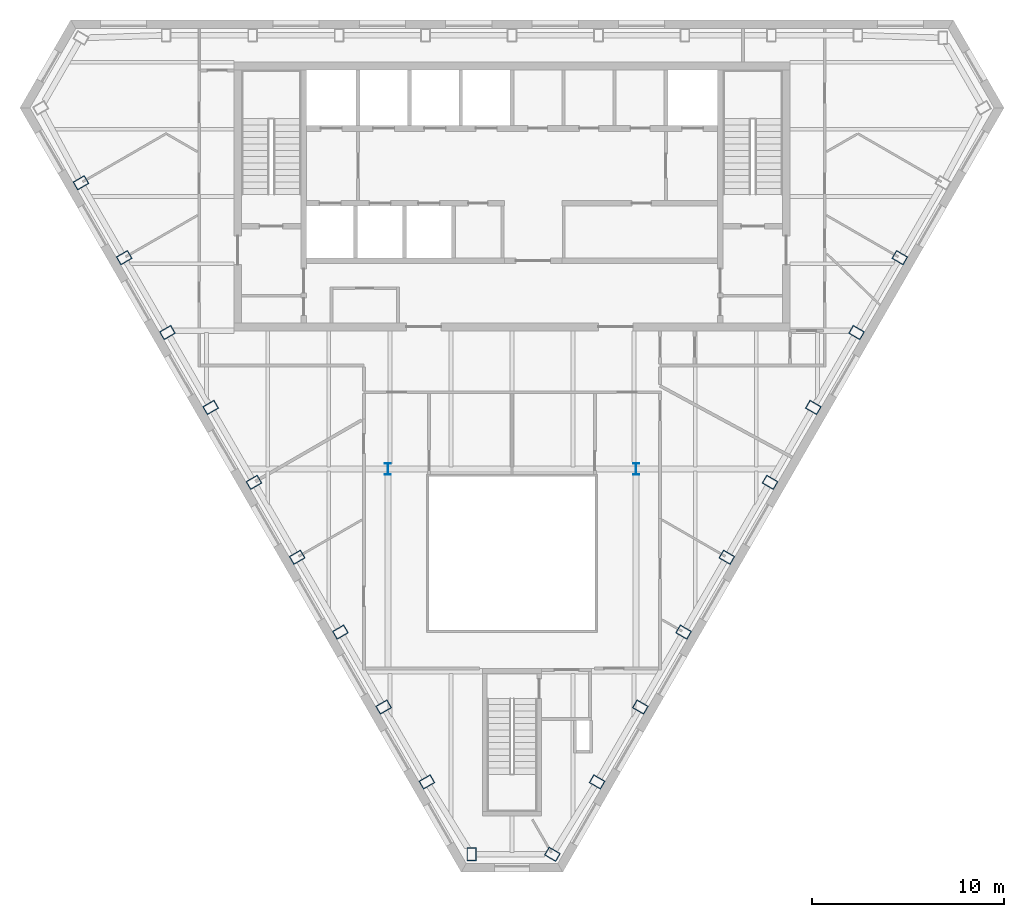
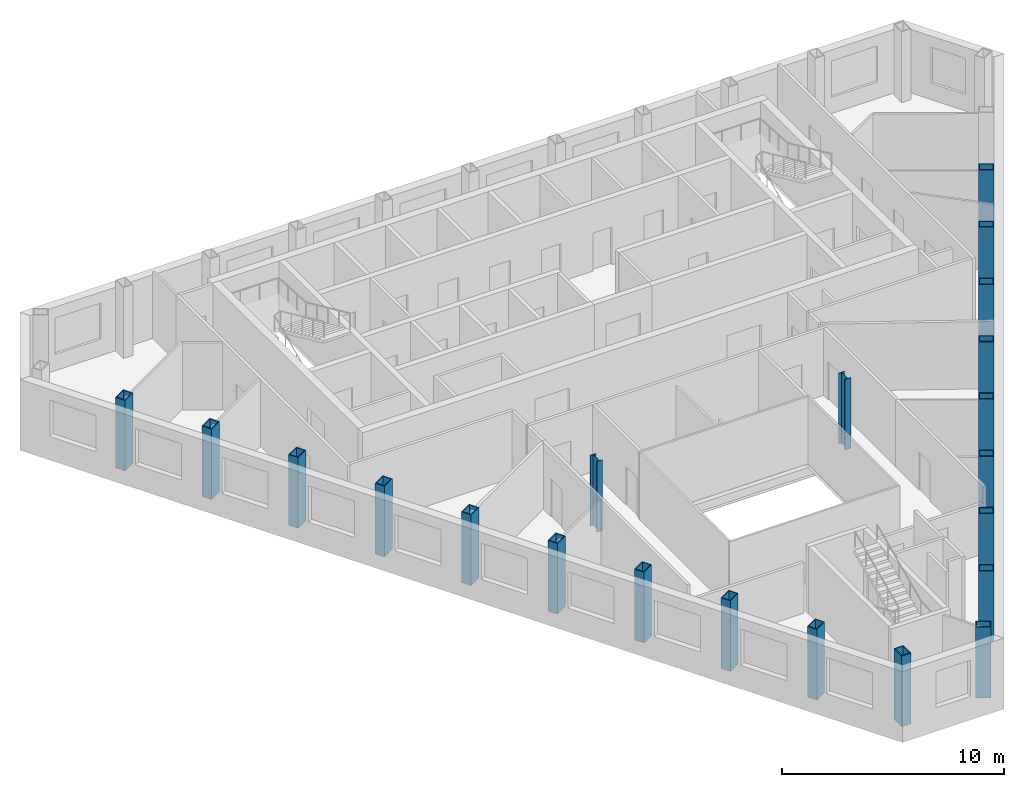
# One storey, part 1 of 10: 21 columns.
"""IFC4 building model written with IfcOpenShell, lengths in metres."""

from ifc_helpers import new_model, si_unit, direction, frame, origin, origin_2d, place, context, subcontext, project, spatial, hollow_rectangle, i_section, extrude, material, material_profile, profile_set, type_object, element, save


model = new_model("IFC4")

# Units and contexts
model_context = context("Model", 3, precision=1e-05, world=origin(), true_north=direction((0.0, 1.0)))
body_context = subcontext(model_context, "Body", "Model", "MODEL_VIEW")
ifc_project = project(units=[si_unit("LENGTHUNIT", "METRE"), si_unit("AREAUNIT", "SQUARE_METRE"), si_unit("VOLUMEUNIT", "CUBIC_METRE"), si_unit("PLANEANGLEUNIT", "RADIAN"), si_unit("MASSUNIT", "GRAM", prefix="KILO")], contexts=[model_context])

# Site, building, storey
site_placement = place(None, origin())
site = spatial("IfcSite", under=ifc_project, at=site_placement, CompositionType="ELEMENT")
building_placement = place(site_placement, origin())
building = spatial("IfcBuilding", under=site, at=building_placement, Name="Njiva Tower", CompositionType="ELEMENT")
storey_placement = place(building_placement, frame((0.0, 0.0, 284.4)))
storey = spatial("IfcBuildingStorey", under=building, at=storey_placement, Name="L65", CompositionType="ELEMENT", Elevation=284.4)

# Columns
ifc_material = material(Name="Steel S355 J2", Category="steel")
ifc_material_profile_1 = material_profile(ifc_material, hollow_rectangle(XDim=0.5, YDim=0.7, WallThickness=0.045, at=origin_2d()), Name="BOX 700x500x45")
ifc_profile_set_1 = profile_set([ifc_material_profile_1], Name="Steel S355 J2")
column_type_1 = type_object("IfcColumnType", Name="C13 Perimeter tube column BOX 700x500x45", PredefinedType="COLUMN", material=ifc_profile_set_1)
for number, where, z_axis, x_axis, name in (
    (1, (-22.467, 11.715, 0.0), (0.0, 0.0, 1.0), (0.5, -0.866025403784, 0.0), "Perimeter tube column S21-C13"),
    (2, (-20.214, 7.811, 0.0), (0.0, 0.0, 1.0), (0.5, -0.866025403784, 0.0), "Perimeter tube column S21-C14"),
    (3, (-17.96, 3.908, 0.0), (0.0, 0.0, 1.0), (0.5, -0.866025403784, 0.0), "Perimeter tube column S21-C15"),
    (4, (-15.706, 0.004, 0.0), (0.0, 0.0, 1.0), (0.5, -0.866025403784, 0.0), "Perimeter tube column S21-C16"),
    (5, (-13.452, -3.9, 0.0), (0.0, 0.0, 1.0), (0.5, -0.866025403784, 0.0), "Perimeter tube column S21-C17"),
    (6, (-11.198, -7.804, 0.0), (0.0, 0.0, 1.0), (0.5, -0.866025403784, 0.0), "Perimeter tube column S21-C18"),
    (7, (-8.945, -11.707, 0.0), (0.0, 0.0, 1.0), (0.5, -0.866025403784, 0.0), "Perimeter tube column S21-C19"),
    (8, (-6.691, -15.611, 0.0), (0.0, 0.0, 1.0), (0.5, -0.866025403784, 0.0), "Perimeter tube column S21-C20"),
    (9, (-4.437, -19.515, 0.0), (0.0, 0.0, 1.0), (0.5, -0.866025403784, 0.0), "Perimeter tube column S21-C21"),
    (10, (-2.106, -23.285, 0.0), (0.0, 0.0, 1.0), (1.0, 0.0, 0.0), "Perimeter tube column S21-C22"),
    (11, (2.106, -23.285, 0.0), (0.0, 0.0, 1.0), (0.5, 0.866025403784, 0.0), "Perimeter tube column S21-C23"),
    (12, (4.437, -19.515, 0.0), (0.0, 0.0, 1.0), (0.5, 0.866025403784, 0.0), "Perimeter tube column S21-C24"),
    (13, (6.691, -15.611, 0.0), (0.0, 0.0, 1.0), (0.5, 0.866025403784, 0.0), "Perimeter tube column S21-C25"),
    (14, (8.945, -11.707, 0.0), (0.0, 0.0, 1.0), (0.5, 0.866025403784, 0.0), "Perimeter tube column S21-C26"),
    (15, (11.198, -7.804, 0.0), (0.0, 0.0, 1.0), (0.5, 0.866025403784, 0.0), "Perimeter tube column S21-C27"),
    (16, (13.452, -3.9, 0.0), (0.0, 0.0, 1.0), (0.5, 0.866025403784, 0.0), "Perimeter tube column S21-C28"),
    (17, (15.706, 0.004, 0.0), (0.0, 0.0, 1.0), (0.5, 0.866025403784, 0.0), "Perimeter tube column S21-C29"),
    (18, (17.96, 3.908, 0.0), (0.0, 0.0, 1.0), (0.5, 0.866025403784, 0.0), "Perimeter tube column S21-C30"),
    (19, (20.214, 7.811, 0.0), (0.0, 0.0, 1.0), (0.5, 0.866025403784, 0.0), "Perimeter tube column S21-C31"),
):
    element("IfcColumn", number, at=place(storey_placement, frame(where, z_axis=z_axis, x_axis=x_axis)), inside=storey, type_object=column_type_1, Name=name, PredefinedType="COLUMN", context=body_context, shape_type="SweptSolid", body=[
        extrude(hollow_rectangle(XDim=0.5, YDim=0.7, WallThickness=0.045, at=origin_2d()), origin(), (0.0, 0.0, 1.0), 3.9),
    ])
ifc_material_profile_2 = material_profile(ifc_material, i_section(OverallWidth=0.3, OverallDepth=0.6, WebThickness=0.0155, FlangeThickness=0.03, at=origin_2d()), Name="HEB 600")
ifc_profile_set_2 = profile_set([ifc_material_profile_2], Name="Steel S355 J2")
column_type_2 = type_object("IfcColumnType", Name="C14 Interior column HEB 600", PredefinedType="COLUMN", material=ifc_profile_set_2)
for number, where, z_axis, x_axis, name in (
    (20, (6.47, -3.2, 0.0), (0.0, 0.0, 1.0), (1.0, 0.0, 0.0), "Interior column S21-C34"),
    (21, (-6.47, -3.2, 0.0), (0.0, 0.0, 1.0), (1.0, 0.0, 0.0), "Interior column S21-C35"),
):
    element("IfcColumn", number, at=place(storey_placement, frame(where, z_axis=z_axis, x_axis=x_axis)), inside=storey, type_object=column_type_2, Name=name, PredefinedType="COLUMN", context=body_context, shape_type="SweptSolid", body=[
        extrude(i_section(OverallWidth=0.3, OverallDepth=0.6, WebThickness=0.0155, FlangeThickness=0.03, at=origin_2d()), origin(), (0.0, 0.0, 1.0), 3.9),
    ])

save(model, "model.ifc")
